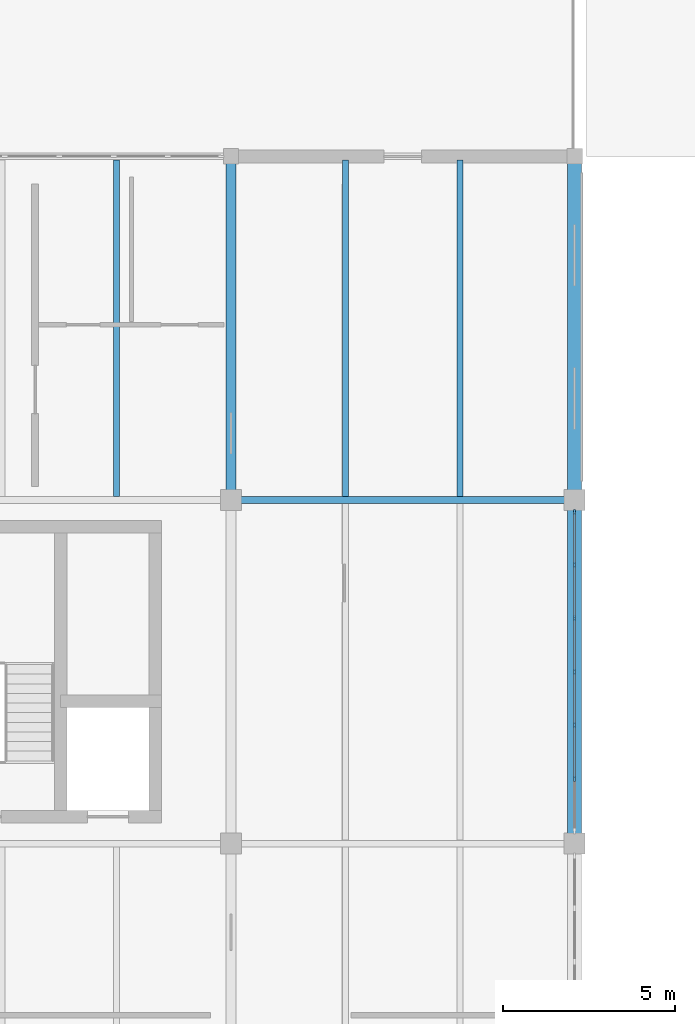
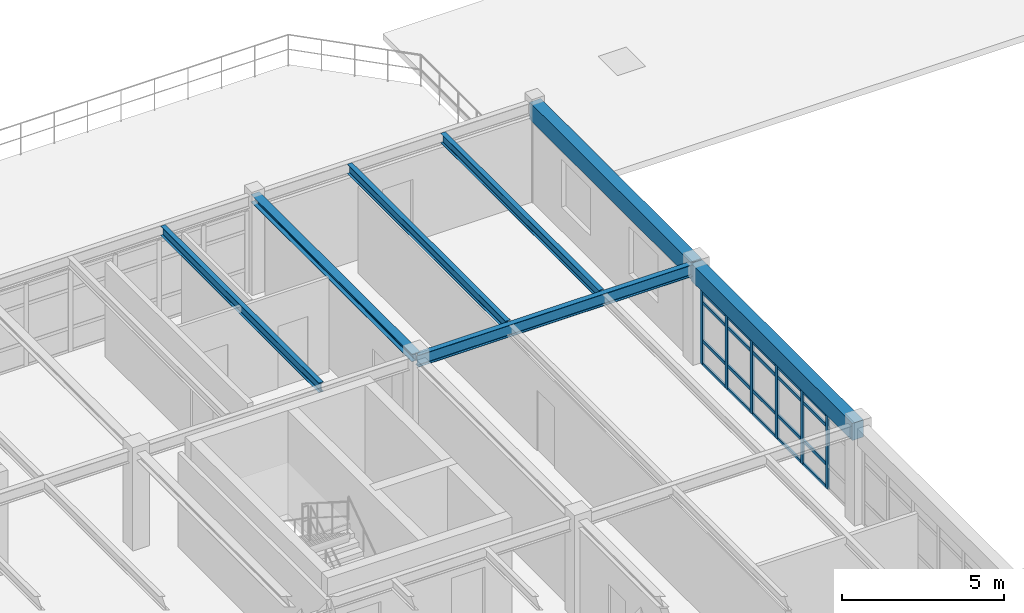
# One storey, part 12 of 23: 26 members, 7 beams, 1 element without a shape of its own.
"""IFC4 building model written with IfcOpenShell, lengths in metres."""

import ifcopenshell
import ifcopenshell.guid

model = None  # the IFC model being written
_history = None  # IfcOwnerHistory: only IFC2X3 demands one
_inside = {}  # id of a spatial element -> (the spatial element, [elements in it])
_under = {}  # id of a project, library or spatial element -> (it, [spatial elements below it])
_declared = {}  # id of a project -> (the project, [libraries it declares])
_typed = {}  # id of a type object -> (the type object, [elements of that type])
_made_of = {}  # id of a material, layer set ... -> (it, [elements and type objects made of it])


def new_model(schema):
    """Start an empty IFC model of exactly this schema.

    Asked for "IFC4X3", IfcOpenShell would pick the latest addendum, in which some entities
    have other attributes; the version numbers below select the first issue.
    IFC2X3 requires an IfcOwnerHistory on every rooted entity: one is made here for all.
    """
    global model, _history
    if schema == "IFC4X3":
        model = ifcopenshell.file(schema_version=(4, 3, 0, 0))
    else:
        model = ifcopenshell.file(schema=schema)
    _inside.clear()
    _under.clear()
    _declared.clear()
    _typed.clear()
    _made_of.clear()
    _history = None
    if model.schema == "IFC2X3":
        org = make("IfcOrganization", Name="unknown")
        user = make(
            "IfcPersonAndOrganization",
            ThePerson=make("IfcPerson", FamilyName="unknown"),
            TheOrganization=org,
        )
        app = make(
            "IfcApplication",
            ApplicationDeveloper=org,
            Version="unknown",
            ApplicationFullName="unknown",
            ApplicationIdentifier="unknown",
        )
        _history = make(
            "IfcOwnerHistory",
            OwningUser=user,
            OwningApplication=app,
            ChangeAction="ADDED",
            CreationDate=0,
        )
    return model


def make(cls, **values):
    """One entity of the class cls with the attributes given. An attribute that is None is left unset."""
    return model.create_entity(
        cls, **{name: value for name, value in values.items() if value is not None}
    )


def rooted(cls, **values):
    """An entity with a GlobalId (a new one), such as an element, a storey or a relation."""
    return make(cls, GlobalId=ifcopenshell.guid.new(), OwnerHistory=_history, **values)


def si_unit(unit_type, name, prefix=None):
    """IfcSIUnit, for example si_unit("LENGTHUNIT", "METRE", prefix="MILLI")."""
    return make("IfcSIUnit", UnitType=unit_type, Prefix=prefix, Name=name)


def assignment(units):
    """IfcUnitAssignment: the units of a project."""
    return None if units is None else make("IfcUnitAssignment", Units=units)


def point(xyz):
    """IfcCartesianPoint."""
    return None if xyz is None else make("IfcCartesianPoint", Coordinates=xyz)


def direction(xyz):
    """IfcDirection."""
    return None if xyz is None else make("IfcDirection", DirectionRatios=xyz)


def frame(location, z_axis=None, x_axis=None):
    """IfcAxis2Placement3D, a coordinate frame: its origin and axes. An axis left out is left unset."""
    return make(
        "IfcAxis2Placement3D",
        Location=point(location),
        Axis=direction(z_axis),
        RefDirection=direction(x_axis),
    )


def frame_2d(location, x_axis=None):
    """IfcAxis2Placement2D, a coordinate frame in the plane: its origin and x axis."""
    return make(
        "IfcAxis2Placement2D", Location=point(location), RefDirection=direction(x_axis)
    )


def origin():
    """The frame at (0, 0, 0) with its axes left unset."""
    return frame((0.0, 0.0, 0.0))


def origin_2d():
    """The frame at (0, 0) in the plane with its x axis left unset."""
    return frame_2d((0.0, 0.0))


def place(relative_to, where):
    """IfcLocalPlacement: puts the frame where relative to a parent placement (None: the world)."""
    return make(
        "IfcLocalPlacement", PlacementRelTo=relative_to, RelativePlacement=where
    )


def context(
    kind, dimensions, precision=None, world=None, true_north=None, identifier=None
):
    """IfcGeometricRepresentationContext, for example the 3D "Model" context."""
    return make(
        "IfcGeometricRepresentationContext",
        ContextIdentifier=identifier,
        ContextType=kind,
        CoordinateSpaceDimension=dimensions,
        Precision=precision,
        WorldCoordinateSystem=world,
        TrueNorth=true_north,
    )


def subcontext(parent, identifier, kind, view, scale=None):
    """IfcGeometricRepresentationSubContext, for example "Body" below "Model"."""
    return make(
        "IfcGeometricRepresentationSubContext",
        ContextIdentifier=identifier,
        ContextType=kind,
        ParentContext=parent,
        TargetScale=scale,
        TargetView=view,
    )


def project(units=None, contexts=None):
    """IfcProject with its units and contexts."""
    return rooted(
        "IfcProject",
        Name="project",
        RepresentationContexts=contexts,
        UnitsInContext=assignment(units),
    )


def spatial(cls, under=None, at=None, **own):
    """A site, building, storey or space (cls), placed at a placement, below another one or the project."""
    s = rooted(cls, ObjectPlacement=at, **own)
    if under is not None:
        _under.setdefault(under.id(), (under, []))[1].append(s)
    return s


def profile(cls, at=None, kind="AREA", **sizes):
    """A parametric profile (cls). Its sizes go by their IFC names, for example OverallWidth=200.0."""
    return make(cls, ProfileType=kind, Position=at, **sizes)


def rectangle(**sizes):
    """IfcRectangleProfileDef."""
    return profile("IfcRectangleProfileDef", **sizes)


def i_section(**sizes):
    """IfcIShapeProfileDef."""
    return profile("IfcIShapeProfileDef", **sizes)


def extrude(swept, where, along, depth):
    """IfcExtrudedAreaSolid: the profile swept, set in the frame where, extruded along a direction by depth."""
    return make(
        "IfcExtrudedAreaSolid",
        SweptArea=swept,
        Position=where,
        ExtrudedDirection=direction(along),
        Depth=depth,
    )


def shape(context_of_items, identifier, shape_type, items):
    """IfcShapeRepresentation: the items that make up one representation, for example the "Body"."""
    return make(
        "IfcShapeRepresentation",
        ContextOfItems=context_of_items,
        RepresentationIdentifier=identifier,
        RepresentationType=shape_type,
        Items=items,
    )


def material(Name=None, Category=None):
    """IfcMaterial."""
    return make("IfcMaterial", Name=Name, Category=Category)


def layer(
    of_material, thickness, ventilated=None, Name=None, Category=None, Priority=None
):
    """IfcMaterialLayer: one layer of a wall or slab, of a material (None: an air gap)."""
    return make(
        "IfcMaterialLayer",
        Material=of_material,
        LayerThickness=thickness,
        IsVentilated=ventilated,
        Name=Name,
        Category=Category,
        Priority=Priority,
    )


def layer_set(layers, Name=None):
    """IfcMaterialLayerSet."""
    return make("IfcMaterialLayerSet", MaterialLayers=layers, LayerSetName=Name)


def material_profile(
    of_material, cross_section, Name=None, Category=None, Priority=None
):
    """IfcMaterialProfile: a cross section and its material."""
    return make(
        "IfcMaterialProfile",
        Name=Name,
        Material=of_material,
        Profile=cross_section,
        Priority=Priority,
        Category=Category,
    )


def profile_set(profiles, Name=None, composite=None):
    """IfcMaterialProfileSet."""
    return make(
        "IfcMaterialProfileSet",
        Name=Name,
        MaterialProfiles=profiles,
        CompositeProfile=composite,
    )


def made_of(thing, what):
    """Note that an element or type object is made of a material, layer set ...; save() writes the relation."""
    if what is not None:
        _made_of.setdefault(what.id(), (what, []))[1].append(thing)
    return thing


def type_object(cls, material=None, **own):
    """A type object (cls), such as IfcWallType, which elements share."""
    return made_of(rooted(cls, **own), material)


def element(
    cls,
    number,
    at=None,
    inside=None,
    cuts=None,
    type_object=None,
    material=None,
    context=None,
    identifier="Body",
    shape_type=None,
    held_by="IfcProductDefinitionShape",
    body=None,
    shapes=None,
    **own,
):
    """One element of the class cls, such as IfcWall. Its Tag is "e" and its number.

    at: its placement. inside: the storey or other place that contains it. cuts: it is an
    opening in that element (IfcRelVoidsElement). A single representation is given by context,
    identifier, shape_type and body (its items); several are given by shapes. held_by: the class
    of the entity that holds the representations. save() writes the other relations.
    """
    e = rooted(cls, Tag="e%d" % number, ObjectPlacement=at, **own)
    if body is not None:
        shapes = [shape(context, identifier, shape_type, body)]
    if shapes is not None:
        e.Representation = make(held_by, Representations=shapes)
    if inside is not None:
        _inside.setdefault(inside.id(), (inside, []))[1].append(e)
    if cuts is not None:
        rooted(
            "IfcRelVoidsElement", RelatingBuildingElement=cuts, RelatedOpeningElement=e
        )
    if type_object is not None:
        _typed.setdefault(type_object.id(), (type_object, []))[1].append(e)
    return made_of(e, material)


def aggregate(whole, parts):
    """IfcRelAggregates: a whole, such as a stair, and the parts it consists of."""
    return rooted("IfcRelAggregates", RelatingObject=whole, RelatedObjects=parts)


def save(model, path):
    """Write the relations noted so far, then the file.

    IfcRelAggregates (storeys below a building ...), IfcRelContainedInSpatialStructure (elements
    in a storey), IfcRelDefinesByType, IfcRelAssociatesMaterial and IfcRelDeclares: one each for
    every whole, place, type object, material and project.
    """
    for whole, parts in _under.values():
        aggregate(whole, parts)
    for where, things in _inside.values():
        rooted(
            "IfcRelContainedInSpatialStructure",
            RelatedElements=things,
            RelatingStructure=where,
        )
    for kind, things in _typed.values():
        rooted("IfcRelDefinesByType", RelatedObjects=things, RelatingType=kind)
    for what, things in _made_of.values():
        rooted("IfcRelAssociatesMaterial", RelatedObjects=things, RelatingMaterial=what)
    for by, libraries in _declared.values():
        rooted("IfcRelDeclares", RelatingContext=by, RelatedDefinitions=libraries)
    model.write(path)


model = new_model("IFC4")

# Units and contexts
model_context = context("Model", 3, precision=1e-05, world=origin(), true_north=direction((0.0, 1.0)))
body_context = subcontext(model_context, "Body", "Model", "MODEL_VIEW")
ifc_project = project(units=[si_unit("LENGTHUNIT", "METRE"), si_unit("AREAUNIT", "SQUARE_METRE"), si_unit("VOLUMEUNIT", "CUBIC_METRE"), si_unit("PLANEANGLEUNIT", "RADIAN"), si_unit("MASSUNIT", "GRAM", prefix="KILO"), si_unit("THERMODYNAMICTEMPERATUREUNIT", "KELVIN"), si_unit("POWERUNIT", "WATT")], contexts=[model_context])

# Site, building, storey
site_placement = place(None, origin())
site = spatial("IfcSite", under=ifc_project, at=site_placement, CompositionType="ELEMENT")
building_placement = place(site_placement, origin())
building = spatial("IfcBuilding", under=site, at=building_placement, Name="Korenveer Ferry Terminal", CompositionType="ELEMENT")
storey_placement = place(building_placement, frame((0.0, 0.0, 14.39990234375)))
storey = spatial("IfcBuildingStorey", under=building, at=storey_placement, Name="L03", CompositionType="ELEMENT", Elevation=14.39990234375)

# Curtain wall, members
ifc_material_1 = material(Name="Unitised bronze-and-glass curtain wall", Category="glass")
ifc_layer = layer(ifc_material_1, 0.159912109375)
ifc_layer_set = layer_set([ifc_layer], Name="Unitised bronze-and-glass curtain wall")
curtain_wall_type = type_object("IfcCurtainWallType", Name="ENV-CW-127", PredefinedType="USERDEFINED", material=ifc_layer_set)
curtain_wall_placement = place(storey_placement, frame((30.0, 59.669921875, 0.0)))
curtain_wall = element("IfcCurtainWall", 1, at=curtain_wall_placement, inside=storey, type_object=curtain_wall_type, Name="Lancet curtain wall CWX-L03-X30-30-Y50-60", ObjectType="UNITISED CURTAIN WALL", PredefinedType="USERDEFINED")
ifc_material_2 = material(Name="Anodised bronze aluminium", Category="aluminium")
ifc_material_profile_1 = material_profile(ifc_material_2, rectangle(XDim=0.06005859375, YDim=0.159912109375, at=origin_2d()), Name="ALU 60x160")
ifc_profile_set_1 = profile_set([ifc_material_profile_1], Name="Anodised bronze aluminium")
member_type_1 = type_object("IfcMemberType", Name="ENV-CWM-60X160", PredefinedType="MULLION", material=ifc_profile_set_1)
member_1_placement = place(storey_placement, frame((30.0, 59.639892578125, 0.0), z_axis=(0.0, 0.0, 1.0), x_axis=(1.0, 0.0, 0.0)))
member_1 = element("IfcMember", 2, at=member_1_placement, type_object=member_type_1, Name="CW-127 mullion 1", PredefinedType="MULLION", context=body_context, shape_type="SweptSolid", body=[
    extrude(rectangle(XDim=0.06005859375, YDim=0.159912109375, at=origin_2d()), origin(), (0.0, 0.0, 1.0), 2.77001953125),
])
member_2_placement = place(storey_placement, frame((30.0, 58.11328125, 0.0), z_axis=(0.0, 0.0, 1.0), x_axis=(1.0, 0.0, 0.0)))
member_2 = element("IfcMember", 3, at=member_2_placement, type_object=member_type_1, Name="CW-127 mullion 2", PredefinedType="MULLION", context=body_context, shape_type="SweptSolid", body=[
    extrude(rectangle(XDim=0.06005859375, YDim=0.159912109375, at=origin_2d()), origin(), (0.0, 0.0, 1.0), 2.77001953125),
])
member_3_placement = place(storey_placement, frame((30.0, 56.556640625, 0.0), z_axis=(0.0, 0.0, 1.0), x_axis=(1.0, 0.0, 0.0)))
member_3 = element("IfcMember", 4, at=member_3_placement, type_object=member_type_1, Name="CW-127 mullion 3", PredefinedType="MULLION", context=body_context, shape_type="SweptSolid", body=[
    extrude(rectangle(XDim=0.06005859375, YDim=0.159912109375, at=origin_2d()), origin(), (0.0, 0.0, 1.0), 2.77001953125),
])
member_4_placement = place(storey_placement, frame((30.0, 55.0, 0.0), z_axis=(0.0, 0.0, 1.0), x_axis=(1.0, 0.0, 0.0)))
member_4 = element("IfcMember", 5, at=member_4_placement, type_object=member_type_1, Name="CW-127 mullion 4", PredefinedType="MULLION", context=body_context, shape_type="SweptSolid", body=[
    extrude(rectangle(XDim=0.06005859375, YDim=0.159912109375, at=origin_2d()), origin(), (0.0, 0.0, 1.0), 2.77001953125),
])
member_5_placement = place(storey_placement, frame((30.0, 53.443359375, 0.0), z_axis=(0.0, 0.0, 1.0), x_axis=(1.0, 0.0, 0.0)))
member_5 = element("IfcMember", 6, at=member_5_placement, type_object=member_type_1, Name="CW-127 mullion 5", PredefinedType="MULLION", context=body_context, shape_type="SweptSolid", body=[
    extrude(rectangle(XDim=0.06005859375, YDim=0.159912109375, at=origin_2d()), origin(), (0.0, 0.0, 1.0), 2.77001953125),
])
member_6_placement = place(storey_placement, frame((30.0, 51.88671875, 0.0), z_axis=(0.0, 0.0, 1.0), x_axis=(1.0, 0.0, 0.0)))
member_6 = element("IfcMember", 7, at=member_6_placement, type_object=member_type_1, Name="CW-127 mullion 6", PredefinedType="MULLION", context=body_context, shape_type="SweptSolid", body=[
    extrude(rectangle(XDim=0.06005859375, YDim=0.159912109375, at=origin_2d()), origin(), (0.0, 0.0, 1.0), 2.77001953125),
])
ifc_material_profile_2 = material_profile(ifc_material_2, rectangle(XDim=0.06005859375, YDim=0.1201171875, at=origin_2d()), Name="ALU 60x120")
ifc_profile_set_2 = profile_set([ifc_material_profile_2], Name="Anodised bronze aluminium")
member_type_2 = type_object("IfcMemberType", Name="ENV-CWT-60X120", PredefinedType="USERDEFINED", material=ifc_profile_set_2)
member_7_placement = place(storey_placement, frame((30.0, 59.610107421875, 0.030029296875), z_axis=(0.0, -1.0, 0.0), x_axis=(1.0, 0.0, 0.0)))
member_7 = element("IfcMember", 8, at=member_7_placement, type_object=member_type_2, Name="CW-127 transom 1.1", ObjectType="TRANSOM", PredefinedType="USERDEFINED", context=body_context, shape_type="SweptSolid", body=[
    extrude(rectangle(XDim=0.06005859375, YDim=0.1201171875, at=origin_2d()), origin(), (0.0, 0.0, 1.0), 1.466796875),
])
member_8_placement = place(storey_placement, frame((30.0, 59.610107421875, 0.900146484375), z_axis=(0.0, -1.0, 0.0), x_axis=(1.0, 0.0, 0.0)))
member_8 = element("IfcMember", 9, at=member_8_placement, type_object=member_type_2, Name="CW-127 transom 1.2", ObjectType="TRANSOM", PredefinedType="USERDEFINED", context=body_context, shape_type="SweptSolid", body=[
    extrude(rectangle(XDim=0.06005859375, YDim=0.1201171875, at=origin_2d()), origin(), (0.0, 0.0, 1.0), 1.466796875),
])
member_9_placement = place(storey_placement, frame((30.0, 59.610107421875, 2.35009765625), z_axis=(0.0, -1.0, 0.0), x_axis=(1.0, 0.0, 0.0)))
member_9 = element("IfcMember", 10, at=member_9_placement, type_object=member_type_2, Name="CW-127 transom 1.3", ObjectType="TRANSOM", PredefinedType="USERDEFINED", context=body_context, shape_type="SweptSolid", body=[
    extrude(rectangle(XDim=0.06005859375, YDim=0.1201171875, at=origin_2d()), origin(), (0.0, 0.0, 1.0), 1.466796875),
])
member_10_placement = place(storey_placement, frame((30.0, 59.610107421875, 2.739990234375), z_axis=(0.0, -1.0, 0.0), x_axis=(1.0, 0.0, 0.0)))
member_10 = element("IfcMember", 11, at=member_10_placement, type_object=member_type_2, Name="CW-127 transom 1.4", ObjectType="TRANSOM", PredefinedType="USERDEFINED", context=body_context, shape_type="SweptSolid", body=[
    extrude(rectangle(XDim=0.06005859375, YDim=0.1201171875, at=origin_2d()), origin(), (0.0, 0.0, 1.0), 1.466796875),
])
member_11_placement = place(storey_placement, frame((30.0, 58.083251953125, 0.030029296875), z_axis=(0.0, -1.0, 0.0), x_axis=(1.0, 0.0, 0.0)))
member_11 = element("IfcMember", 12, at=member_11_placement, type_object=member_type_2, Name="CW-127 transom 2.1", ObjectType="TRANSOM", PredefinedType="USERDEFINED", context=body_context, shape_type="SweptSolid", body=[
    extrude(rectangle(XDim=0.06005859375, YDim=0.1201171875, at=origin_2d()), origin(), (0.0, 0.0, 1.0), 1.49658203125),
])
member_12_placement = place(storey_placement, frame((30.0, 58.083251953125, 0.900146484375), z_axis=(0.0, -1.0, 0.0), x_axis=(1.0, 0.0, 0.0)))
member_12 = element("IfcMember", 13, at=member_12_placement, type_object=member_type_2, Name="CW-127 transom 2.2", ObjectType="TRANSOM", PredefinedType="USERDEFINED", context=body_context, shape_type="SweptSolid", body=[
    extrude(rectangle(XDim=0.06005859375, YDim=0.1201171875, at=origin_2d()), origin(), (0.0, 0.0, 1.0), 1.49658203125),
])
member_13_placement = place(storey_placement, frame((30.0, 58.083251953125, 2.35009765625), z_axis=(0.0, -1.0, 0.0), x_axis=(1.0, 0.0, 0.0)))
member_13 = element("IfcMember", 14, at=member_13_placement, type_object=member_type_2, Name="CW-127 transom 2.3", ObjectType="TRANSOM", PredefinedType="USERDEFINED", context=body_context, shape_type="SweptSolid", body=[
    extrude(rectangle(XDim=0.06005859375, YDim=0.1201171875, at=origin_2d()), origin(), (0.0, 0.0, 1.0), 1.49658203125),
])
member_14_placement = place(storey_placement, frame((30.0, 58.083251953125, 2.739990234375), z_axis=(0.0, -1.0, 0.0), x_axis=(1.0, 0.0, 0.0)))
member_14 = element("IfcMember", 15, at=member_14_placement, type_object=member_type_2, Name="CW-127 transom 2.4", ObjectType="TRANSOM", PredefinedType="USERDEFINED", context=body_context, shape_type="SweptSolid", body=[
    extrude(rectangle(XDim=0.06005859375, YDim=0.1201171875, at=origin_2d()), origin(), (0.0, 0.0, 1.0), 1.49658203125),
])
member_15_placement = place(storey_placement, frame((30.0, 56.526611328125, 0.030029296875), z_axis=(0.0, -1.0, 0.0), x_axis=(1.0, 0.0, 0.0)))
member_15 = element("IfcMember", 16, at=member_15_placement, type_object=member_type_2, Name="CW-127 transom 3.1", ObjectType="TRANSOM", PredefinedType="USERDEFINED", context=body_context, shape_type="SweptSolid", body=[
    extrude(rectangle(XDim=0.06005859375, YDim=0.1201171875, at=origin_2d()), origin(), (0.0, 0.0, 1.0), 1.49658203125),
])
member_16_placement = place(storey_placement, frame((30.0, 56.526611328125, 0.900146484375), z_axis=(0.0, -1.0, 0.0), x_axis=(1.0, 0.0, 0.0)))
member_16 = element("IfcMember", 17, at=member_16_placement, type_object=member_type_2, Name="CW-127 transom 3.2", ObjectType="TRANSOM", PredefinedType="USERDEFINED", context=body_context, shape_type="SweptSolid", body=[
    extrude(rectangle(XDim=0.06005859375, YDim=0.1201171875, at=origin_2d()), origin(), (0.0, 0.0, 1.0), 1.49658203125),
])
member_17_placement = place(storey_placement, frame((30.0, 56.526611328125, 2.35009765625), z_axis=(0.0, -1.0, 0.0), x_axis=(1.0, 0.0, 0.0)))
member_17 = element("IfcMember", 18, at=member_17_placement, type_object=member_type_2, Name="CW-127 transom 3.3", ObjectType="TRANSOM", PredefinedType="USERDEFINED", context=body_context, shape_type="SweptSolid", body=[
    extrude(rectangle(XDim=0.06005859375, YDim=0.1201171875, at=origin_2d()), origin(), (0.0, 0.0, 1.0), 1.49658203125),
])
member_18_placement = place(storey_placement, frame((30.0, 56.526611328125, 2.739990234375), z_axis=(0.0, -1.0, 0.0), x_axis=(1.0, 0.0, 0.0)))
member_18 = element("IfcMember", 19, at=member_18_placement, type_object=member_type_2, Name="CW-127 transom 3.4", ObjectType="TRANSOM", PredefinedType="USERDEFINED", context=body_context, shape_type="SweptSolid", body=[
    extrude(rectangle(XDim=0.06005859375, YDim=0.1201171875, at=origin_2d()), origin(), (0.0, 0.0, 1.0), 1.49658203125),
])
member_19_placement = place(storey_placement, frame((30.0, 54.969970703125, 0.030029296875), z_axis=(0.0, -1.0, 0.0), x_axis=(1.0, 0.0, 0.0)))
member_19 = element("IfcMember", 20, at=member_19_placement, type_object=member_type_2, Name="CW-127 transom 4.1", ObjectType="TRANSOM", PredefinedType="USERDEFINED", context=body_context, shape_type="SweptSolid", body=[
    extrude(rectangle(XDim=0.06005859375, YDim=0.1201171875, at=origin_2d()), origin(), (0.0, 0.0, 1.0), 1.49658203125),
])
member_20_placement = place(storey_placement, frame((30.0, 54.969970703125, 0.900146484375), z_axis=(0.0, -1.0, 0.0), x_axis=(1.0, 0.0, 0.0)))
member_20 = element("IfcMember", 21, at=member_20_placement, type_object=member_type_2, Name="CW-127 transom 4.2", ObjectType="TRANSOM", PredefinedType="USERDEFINED", context=body_context, shape_type="SweptSolid", body=[
    extrude(rectangle(XDim=0.06005859375, YDim=0.1201171875, at=origin_2d()), origin(), (0.0, 0.0, 1.0), 1.49658203125),
])
member_21_placement = place(storey_placement, frame((30.0, 54.969970703125, 2.35009765625), z_axis=(0.0, -1.0, 0.0), x_axis=(1.0, 0.0, 0.0)))
member_21 = element("IfcMember", 22, at=member_21_placement, type_object=member_type_2, Name="CW-127 transom 4.3", ObjectType="TRANSOM", PredefinedType="USERDEFINED", context=body_context, shape_type="SweptSolid", body=[
    extrude(rectangle(XDim=0.06005859375, YDim=0.1201171875, at=origin_2d()), origin(), (0.0, 0.0, 1.0), 1.49658203125),
])
member_22_placement = place(storey_placement, frame((30.0, 54.969970703125, 2.739990234375), z_axis=(0.0, -1.0, 0.0), x_axis=(1.0, 0.0, 0.0)))
member_22 = element("IfcMember", 23, at=member_22_placement, type_object=member_type_2, Name="CW-127 transom 4.4", ObjectType="TRANSOM", PredefinedType="USERDEFINED", context=body_context, shape_type="SweptSolid", body=[
    extrude(rectangle(XDim=0.06005859375, YDim=0.1201171875, at=origin_2d()), origin(), (0.0, 0.0, 1.0), 1.49658203125),
])
member_23_placement = place(storey_placement, frame((30.0, 53.413330078125, 0.030029296875), z_axis=(0.0, -1.0, 0.0), x_axis=(1.0, 0.0, 0.0)))
member_23 = element("IfcMember", 24, at=member_23_placement, type_object=member_type_2, Name="CW-127 transom 5.1", ObjectType="TRANSOM", PredefinedType="USERDEFINED", context=body_context, shape_type="SweptSolid", body=[
    extrude(rectangle(XDim=0.06005859375, YDim=0.1201171875, at=origin_2d()), origin(), (0.0, 0.0, 1.0), 1.49658203125),
])
member_24_placement = place(storey_placement, frame((30.0, 53.413330078125, 0.900146484375), z_axis=(0.0, -1.0, 0.0), x_axis=(1.0, 0.0, 0.0)))
member_24 = element("IfcMember", 25, at=member_24_placement, type_object=member_type_2, Name="CW-127 transom 5.2", ObjectType="TRANSOM", PredefinedType="USERDEFINED", context=body_context, shape_type="SweptSolid", body=[
    extrude(rectangle(XDim=0.06005859375, YDim=0.1201171875, at=origin_2d()), origin(), (0.0, 0.0, 1.0), 1.49658203125),
])
member_25_placement = place(storey_placement, frame((30.0, 53.413330078125, 2.35009765625), z_axis=(0.0, -1.0, 0.0), x_axis=(1.0, 0.0, 0.0)))
member_25 = element("IfcMember", 26, at=member_25_placement, type_object=member_type_2, Name="CW-127 transom 5.3", ObjectType="TRANSOM", PredefinedType="USERDEFINED", context=body_context, shape_type="SweptSolid", body=[
    extrude(rectangle(XDim=0.06005859375, YDim=0.1201171875, at=origin_2d()), origin(), (0.0, 0.0, 1.0), 1.49658203125),
])
member_26_placement = place(storey_placement, frame((30.0, 53.413330078125, 2.739990234375), z_axis=(0.0, -1.0, 0.0), x_axis=(1.0, 0.0, 0.0)))
member_26 = element("IfcMember", 27, at=member_26_placement, type_object=member_type_2, Name="CW-127 transom 5.4", ObjectType="TRANSOM", PredefinedType="USERDEFINED", context=body_context, shape_type="SweptSolid", body=[
    extrude(rectangle(XDim=0.06005859375, YDim=0.1201171875, at=origin_2d()), origin(), (0.0, 0.0, 1.0), 1.49658203125),
])
aggregate(curtain_wall, [member_1, member_2, member_3, member_4, member_5, member_6, member_7, member_8, member_9, member_10, member_11, member_12, member_13, member_14, member_15, member_16, member_17, member_18, member_19, member_20, member_21, member_22, member_23, member_24, member_25, member_26])

# Beams
ifc_material_3 = material(Name="Steel S355", Category="steel")
ifc_material_profile_3 = material_profile(ifc_material_3, i_section(OverallWidth=0.300048828125, OverallDepth=0.2900390625, WebThickness=0.008544921875, FlangeThickness=0.013916015625, FilletRadius=0.027099609375, at=origin_2d()), Name="HEA 300")
ifc_profile_set_3 = profile_set([ifc_material_profile_3], Name="Steel S355")
beam_type_1 = type_object("IfcBeamType", Name="STR-BM-HEA300", PredefinedType="BEAM", material=ifc_profile_set_3)
beam_1_placement = place(storey_placement, frame((20.0, 60.02001953125, 3.53515625), z_axis=(0.0, 1.0, 0.0), x_axis=(-1.0, 0.0, 0.0)))
element("IfcBeam", 28, at=beam_1_placement, inside=storey, type_object=beam_type_1, Name="Primary Y girder BMY-L04-X20-Y60-70", PredefinedType="BEAM", context=body_context, shape_type="SweptSolid", body=[
    extrude(i_section(OverallWidth=0.300048828125, OverallDepth=0.2900390625, WebThickness=0.008544921875, FlangeThickness=0.013916015625, FilletRadius=0.027099609375, at=origin_2d()), origin(), (0.0, 0.0, 1.0), 9.9599609375),
])
ifc_material_profile_4 = material_profile(ifc_material_3, i_section(OverallWidth=0.18994140625, OverallDepth=0.449951171875, WebThickness=0.009521484375, FlangeThickness=0.0146484375, FilletRadius=0.02099609375, at=origin_2d()), Name="IPE 450")
ifc_profile_set_4 = profile_set([ifc_material_profile_4], Name="Steel S355")
beam_type_2 = type_object("IfcBeamType", Name="STR-BM-IPE450", PredefinedType="BEAM", material=ifc_profile_set_4)
beam_2_placement = place(storey_placement, frame((20.02001953125, 60.0, 3.425048828125), z_axis=(1.0, 0.0, 0.0), x_axis=(0.0, 1.0, 0.0)))
element("IfcBeam", 29, at=beam_2_placement, inside=storey, type_object=beam_type_2, Name="Primary X girder BMX-L04-X20-30-Y60", PredefinedType="BEAM", context=body_context, shape_type="SweptSolid", body=[
    extrude(i_section(OverallWidth=0.18994140625, OverallDepth=0.449951171875, WebThickness=0.009521484375, FlangeThickness=0.0146484375, FilletRadius=0.02099609375, at=origin_2d()), origin(), (0.0, 0.0, 1.0), 9.9599609375),
])
ifc_material_4 = material(Name="Concrete C40/50", Category="concrete")
ifc_material_profile_5 = material_profile(ifc_material_4, rectangle(XDim=0.39990234375, YDim=0.64990234375, at=origin_2d()), Name="RC 400x650")
ifc_profile_set_5 = profile_set([ifc_material_profile_5], Name="Concrete C40/50")
beam_type_3 = type_object("IfcBeamType", Name="STR-BM-RC400X650", PredefinedType="BEAM", material=ifc_profile_set_5)
for number, where, z_axis, x_axis, name in (
    (30, (30.0, 50.02001953125, 3.3251953125), (0.0, 1.0, 0.0), (-1.0, 0.0, 0.0), "Primary Y girder BMY-L04-X30-Y50-60"),
    (31, (30.0, 60.02001953125, 3.35498046875), (0.0, 1.0, 0.0), (-1.0, 0.0, 0.0), "Primary Y girder BMY-L04-X30-Y60-70"),
):
    element("IfcBeam", number, at=place(storey_placement, frame(where, z_axis=z_axis, x_axis=x_axis)), inside=storey, type_object=beam_type_3, Name=name, PredefinedType="BEAM", context=body_context, shape_type="SweptSolid", body=[
        extrude(rectangle(XDim=0.39990234375, YDim=0.64990234375, at=origin_2d()), origin(), (0.0, 0.0, 1.0), 9.9599609375),
    ])
ifc_material_profile_6 = material_profile(ifc_material_3, i_section(OverallWidth=0.169921875, OverallDepth=0.360107421875, WebThickness=0.008056640625, FlangeThickness=0.0126953125, FilletRadius=0.01806640625, at=origin_2d()), Name="IPE 360")
ifc_profile_set_6 = profile_set([ifc_material_profile_6], Name="Steel S355")
beam_type_4 = type_object("IfcBeamType", Name="STR-JST-IPE360", PredefinedType="JOIST", material=ifc_profile_set_6)
for number, where, z_axis, x_axis, name in (
    (32, (16.666748046875, 60.10498046875, 3.5), (0.0, 1.0, 0.0), (-1.0, 0.0, 0.0), "Secondary composite joist JST-L04-X167-Y60-70"),
    (33, (23.333251953125, 60.10498046875, 3.5), (0.0, 1.0, 0.0), (-1.0, 0.0, 0.0), "Secondary composite joist JST-L04-X233-Y60-70"),
    (34, (26.666748046875, 60.10498046875, 3.5), (0.0, 1.0, 0.0), (-1.0, 0.0, 0.0), "Secondary composite joist JST-L04-X267-Y60-70"),
):
    element("IfcBeam", number, at=place(storey_placement, frame(where, z_axis=z_axis, x_axis=x_axis)), inside=storey, type_object=beam_type_4, Name=name, PredefinedType="JOIST", context=body_context, shape_type="SweptSolid", body=[
        extrude(i_section(OverallWidth=0.169921875, OverallDepth=0.360107421875, WebThickness=0.008056640625, FlangeThickness=0.0126953125, FilletRadius=0.01806640625, at=origin_2d()), origin(), (0.0, 0.0, 1.0), 9.7900390625),
    ])

save(model, "model.ifc")
